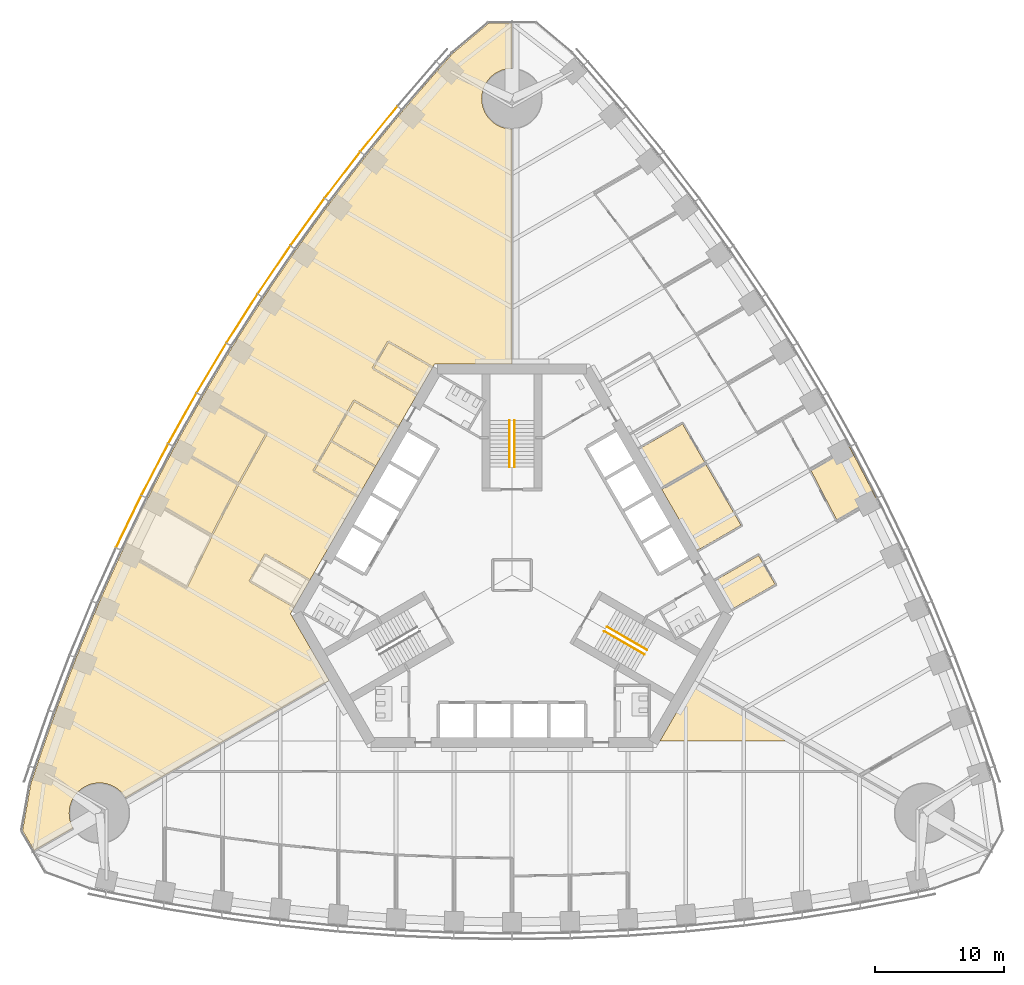
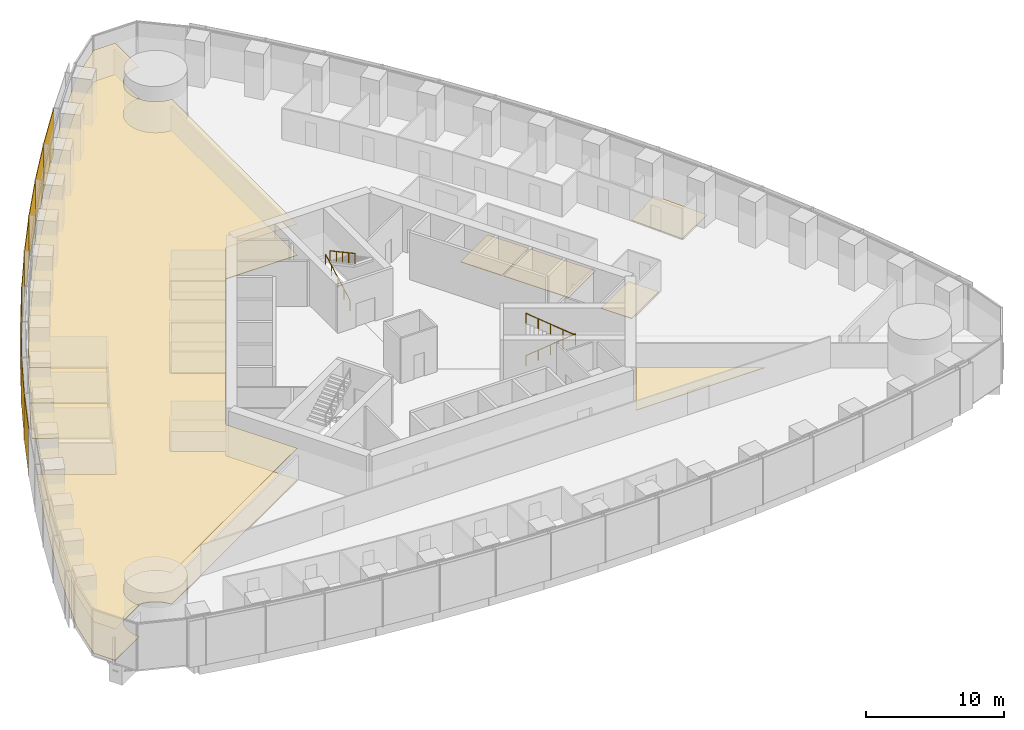
# One storey, part 15 of 18: 12 coverings, 9 shading devices, 4 railings.
"""IFC4 building model written with IfcOpenShell, lengths in metres."""

from ifc_helpers import new_model, si_unit, direction, frame, origin, origin_2d, place, context, subcontext, project, spatial, polyline, rectangle, circle, outline, extrude, material, layer, layer_set, type_object, element, save


model = new_model("IFC4")

# Units and contexts
model_context = context("Model", 3, precision=1e-05, world=origin(), true_north=direction((0.0, 1.0)))
body_context = subcontext(model_context, "Body", "Model", "MODEL_VIEW")
ifc_project = project(units=[si_unit("LENGTHUNIT", "METRE"), si_unit("AREAUNIT", "SQUARE_METRE"), si_unit("VOLUMEUNIT", "CUBIC_METRE"), si_unit("PLANEANGLEUNIT", "RADIAN"), si_unit("MASSUNIT", "GRAM", prefix="KILO")], contexts=[model_context])

# Site, building, storey
site_placement = place(None, origin())
site = spatial("IfcSite", under=ifc_project, at=site_placement, CompositionType="ELEMENT")
building_placement = place(site_placement, origin())
building = spatial("IfcBuilding", under=site, at=building_placement, Name="Trefoil Bronze Tower", CompositionType="ELEMENT")
storey_placement = place(building_placement, frame((0.0, 0.0, 33.300048828125)))
storey = spatial("IfcBuildingStorey", under=building, at=storey_placement, Name="L07", CompositionType="ELEMENT", Elevation=33.300048828125)

# Shading devices
ifc_material_1 = material(Name="Perforated bronze sheet", Category="bronze")
ifc_layer_1 = layer(ifc_material_1, 0.0400390625)
ifc_layer_set_1 = layer_set([ifc_layer_1], Name="Bronze solar screen panel")
shading_device_type = type_object("IfcShadingDeviceType", Name="Bronze solar screen panel", PredefinedType="SHUTTER", material=ifc_layer_set_1)
shading_device_1_placement = place(storey_placement, frame((-10.338623046875, 34.6474609375, 0.0498046875), z_axis=(0.0, 0.0, 1.0), x_axis=(-0.631810729457, -0.775122701346, 0.0)))
element("IfcShadingDevice", 1, at=shading_device_1_placement, inside=storey, type_object=shading_device_type, Name="Solar screen CW-A L07 F3 bay 3", PredefinedType="SHUTTER", context=body_context, shape_type="SweptSolid", body=[
    extrude(rectangle(XDim=4.5283203125, YDim=0.0400390625, at=origin_2d()), origin(), (0.0, 0.0, 1.0), 4.10009765625),
])
shading_device_2_placement = place(storey_placement, frame((-13.170166015625, 31.06787109375, 0.0498046875), z_axis=(0.0, 0.0, 1.0), x_axis=(-0.608807670879, -0.793317855515, 0.0)))
element("IfcShadingDevice", 2, at=shading_device_2_placement, inside=storey, type_object=shading_device_type, Name="Solar screen CW-A L07 F3 bay 4", PredefinedType="SHUTTER", context=body_context, shape_type="SweptSolid", body=[
    extrude(rectangle(XDim=4.5087890625, YDim=0.0400390625, at=origin_2d()), origin(), (0.0, 0.0, 1.0), 4.10009765625),
])
shading_device_3_placement = place(storey_placement, frame((-15.88525390625, 27.421142578125, 0.0498046875), z_axis=(0.0, 0.0, 1.0), x_axis=(-0.585372522213, -0.810764460394, 0.0)))
element("IfcShadingDevice", 3, at=shading_device_3_placement, inside=storey, type_object=shading_device_type, Name="Solar screen CW-A L07 F3 bay 5", PredefinedType="SHUTTER", context=body_context, shape_type="SweptSolid", body=[
    extrude(rectangle(XDim=4.493408203125, YDim=0.0400390625, at=origin_2d()), origin(), (0.0, 0.0, 1.0), 4.10009765625),
])
shading_device_4_placement = place(storey_placement, frame((-18.48486328125, 23.707763671875, 0.0498046875), z_axis=(0.0, 0.0, 1.0), x_axis=(-0.56150968077, -0.827470167681, 0.0)))
element("IfcShadingDevice", 4, at=shading_device_4_placement, inside=storey, type_object=shading_device_type, Name="Solar screen CW-A L07 F3 bay 6", PredefinedType="SHUTTER", context=body_context, shape_type="SweptSolid", body=[
    extrude(rectangle(XDim=4.48193359375, YDim=0.0400390625, at=origin_2d()), origin(), (0.0, 0.0, 1.0), 4.10009765625),
])
shading_device_5_placement = place(storey_placement, frame((-20.97021484375, 19.928466796875, 0.0498046875), z_axis=(0.0, 0.0, 1.0), x_axis=(-0.537222392469, -0.843440632783, 0.0)))
element("IfcShadingDevice", 5, at=shading_device_5_placement, inside=storey, type_object=shading_device_type, Name="Solar screen CW-A L07 F3 bay 7", PredefinedType="SHUTTER", context=body_context, shape_type="SweptSolid", body=[
    extrude(rectangle(XDim=4.474365234375, YDim=0.0400390625, at=origin_2d()), origin(), (0.0, 0.0, 1.0), 4.10009765625),
])
for number, where, z_axis, x_axis, name in (
    (6, (-23.341552734375, 16.083251953125, 0.0498046875), (0.0, 0.0, 1.0), (-0.51251279404, -0.858679588639, 0.0), "Solar screen CW-A L07 F3 bay 8"),
    (7, (-25.599365234375, 12.172607421875, 0.0498046875), (0.0, 0.0, 1.0), (-0.487381940453, -0.873188893722, 0.0), "Solar screen CW-A L07 F3 bay 9"),
):
    element("IfcShadingDevice", number, at=place(storey_placement, frame(where, z_axis=z_axis, x_axis=x_axis)), inside=storey, type_object=shading_device_type, Name=name, PredefinedType="SHUTTER", context=body_context, shape_type="SweptSolid", body=[
        extrude(rectangle(XDim=4.470458984375, YDim=0.0400390625, at=origin_2d()), origin(), (0.0, 0.0, 1.0), 4.10009765625),
    ])
shading_device_6_placement = place(storey_placement, frame((-27.74365234375, 8.1962890625, 0.0498046875), z_axis=(0.0, 0.0, 1.0), x_axis=(-0.46182981834, -0.886968555752, 0.0)))
element("IfcShadingDevice", 8, at=shading_device_6_placement, inside=storey, type_object=shading_device_type, Name="Solar screen CW-A L07 F3 bay 10", PredefinedType="SHUTTER", context=body_context, shape_type="SweptSolid", body=[
    extrude(rectangle(XDim=4.474365234375, YDim=0.0400390625, at=origin_2d()), origin(), (0.0, 0.0, 1.0), 4.10009765625),
])
shading_device_7_placement = place(storey_placement, frame((-29.77392578125, 4.154541015625, 0.0498046875), z_axis=(0.0, 0.0, 1.0), x_axis=(-0.4358553457, -0.900016731858, 0.0)))
element("IfcShadingDevice", 9, at=shading_device_7_placement, inside=storey, type_object=shading_device_type, Name="Solar screen CW-A L07 F3 bay 11", PredefinedType="SHUTTER", context=body_context, shape_type="SweptSolid", body=[
    extrude(rectangle(XDim=4.48193359375, YDim=0.0400390625, at=origin_2d()), origin(), (0.0, 0.0, 1.0), 4.10009765625),
])

# Railings
ifc_material_2 = material(Name="Steel handrail", Category="steel")
railing_type = type_object("IfcRailingType", Name="Handrail 900", PredefinedType="HANDRAIL", material=ifc_material_2)
railing_1_placement = place(storey_placement, frame((7.365966796875, -4.021728515625, 0.161376953125)))
element("IfcRailing", 10, at=railing_1_placement, inside=storey, type_object=railing_type, Name="Handrail ST1 flight 1 L07", PredefinedType="HANDRAIL", context=body_context, shape_type="SweptSolid", body=[
    extrude(circle(Radius=0.02392578125, at=origin_2d()), frame((0.0, 0.0, 0.8759765625), z_axis=(0.76250339821, -0.440245697338, 0.474101564745), x_axis=(0.500012057535, 0.866018442252, 0.0)), (0.0, 0.0, 1.0), 4.088623046875),
    extrude(circle(Radius=0.02099609375, at=origin_2d()), origin(), (0.0, 0.0, 1.0), 0.851806640625),
    extrude(circle(Radius=0.02099609375, at=origin_2d()), frame((0.779296875, -0.449951171875, 0.484619140625)), (0.0, 0.0, 1.0), 0.851806640625),
    extrude(circle(Radius=0.02099609375, at=origin_2d()), frame((1.558837890625, -0.89990234375, 0.96923828125)), (0.0, 0.0, 1.0), 0.851806640625),
    extrude(circle(Radius=0.02099609375, at=origin_2d()), frame((2.33837890625, -1.35009765625, 1.453857421875)), (0.0, 0.0, 1.0), 0.851806640625),
    extrude(circle(Radius=0.02099609375, at=origin_2d()), frame((3.11767578125, -1.800048828125, 1.9384765625)), (0.0, 0.0, 1.0), 0.851806640625),
])
railing_2_placement = place(storey_placement, frame((10.28369140625, -6.168212890625, 2.261474609375)))
element("IfcRailing", 11, at=railing_2_placement, inside=storey, type_object=railing_type, Name="Handrail ST1 flight 2 L07", PredefinedType="HANDRAIL", context=body_context, shape_type="SweptSolid", body=[
    extrude(circle(Radius=0.02392578125, at=origin_2d()), frame((0.0, 0.0, 0.8759765625), z_axis=(-0.76250339821, 0.440245697338, 0.474101564745), x_axis=(-0.500012057535, -0.866018442252, 0.0)), (0.0, 0.0, 1.0), 4.088623046875),
    extrude(circle(Radius=0.02099609375, at=origin_2d()), origin(), (0.0, 0.0, 1.0), 0.851806640625),
    extrude(circle(Radius=0.02099609375, at=origin_2d()), frame((-0.779296875, 0.449951171875, 0.484619140625)), (0.0, 0.0, 1.0), 0.851806640625),
    extrude(circle(Radius=0.02099609375, at=origin_2d()), frame((-1.558837890625, 0.89990234375, 0.96923828125)), (0.0, 0.0, 1.0), 0.851806640625),
    extrude(circle(Radius=0.02099609375, at=origin_2d()), frame((-2.33837890625, 1.35009765625, 1.453857421875)), (0.0, 0.0, 1.0), 0.851806640625),
    extrude(circle(Radius=0.02099609375, at=origin_2d()), frame((-3.11767578125, 1.800048828125, 1.9384765625)), (0.0, 0.0, 1.0), 0.851806640625),
])
railing_3_placement = place(storey_placement, frame((-0.199951171875, 8.389892578125, 0.161376953125)))
element("IfcRailing", 12, at=railing_3_placement, inside=storey, type_object=railing_type, Name="Handrail ST2 flight 1 L07", PredefinedType="HANDRAIL", context=body_context, shape_type="SweptSolid", body=[
    extrude(circle(Radius=0.02392578125, at=origin_2d()), frame((0.0, 0.0, 0.8759765625), z_axis=(0.0, 0.880474934443, 0.474092701714), x_axis=(-1.0, 0.0, 0.0)), (0.0, 0.0, 1.0), 4.0888671875),
    extrude(circle(Radius=0.02099609375, at=origin_2d()), origin(), (0.0, 0.0, 1.0), 0.851806640625),
    extrude(circle(Radius=0.02099609375, at=origin_2d()), frame((0.0, 0.89990234375, 0.484619140625)), (0.0, 0.0, 1.0), 0.851806640625),
    extrude(circle(Radius=0.02099609375, at=origin_2d()), frame((0.0, 1.800048828125, 0.96923828125)), (0.0, 0.0, 1.0), 0.851806640625),
    extrude(circle(Radius=0.02099609375, at=origin_2d()), frame((0.0, 2.7001953125, 1.453857421875)), (0.0, 0.0, 1.0), 0.851806640625),
    extrude(circle(Radius=0.02099609375, at=origin_2d()), frame((0.0, 3.60009765625, 1.9384765625)), (0.0, 0.0, 1.0), 0.851806640625),
])
railing_4_placement = place(storey_placement, frame((0.199951171875, 11.989990234375, 2.261474609375)))
element("IfcRailing", 13, at=railing_4_placement, inside=storey, type_object=railing_type, Name="Handrail ST2 flight 2 L07", PredefinedType="HANDRAIL", context=body_context, shape_type="SweptSolid", body=[
    extrude(circle(Radius=0.02392578125, at=origin_2d()), frame((0.0, 0.0, 0.8759765625), z_axis=(0.0, -0.880474934443, 0.474092701714), x_axis=(1.0, 0.0, 0.0)), (0.0, 0.0, 1.0), 4.0888671875),
    extrude(circle(Radius=0.02099609375, at=origin_2d()), origin(), (0.0, 0.0, 1.0), 0.851806640625),
    extrude(circle(Radius=0.02099609375, at=origin_2d()), frame((0.0, -0.89990234375, 0.484619140625)), (0.0, 0.0, 1.0), 0.851806640625),
    extrude(circle(Radius=0.02099609375, at=origin_2d()), frame((0.0, -1.800048828125, 0.96923828125)), (0.0, 0.0, 1.0), 0.851806640625),
    extrude(circle(Radius=0.02099609375, at=origin_2d()), frame((0.0, -2.7001953125, 1.453857421875)), (0.0, 0.0, 1.0), 0.851806640625),
    extrude(circle(Radius=0.02099609375, at=origin_2d()), frame((0.0, -3.60009765625, 1.9384765625)), (0.0, 0.0, 1.0), 0.851806640625),
])

# Coverings
ifc_material_3 = material(Name="Acoustic ceiling panels", Category="mineral fibre")
ifc_layer_2 = layer(ifc_material_3, 0.02001953125)
ifc_layer_set_2 = layer_set([ifc_layer_2], Name="Office ceiling 20")
covering_type_1 = type_object("IfcCoveringType", Name="Office ceiling 20", PredefinedType="CEILING", material=ifc_layer_set_2)
covering_1_placement = place(storey_placement, frame((0.0, 0.0, 2.89990234375)))
element("IfcCovering", 14, at=covering_1_placement, inside=storey, type_object=covering_type_1, Name="Ceiling L07 Open-plan office F3", PredefinedType="CEILING", context=body_context, shape_type="SweptSolid", body=[
    extrude(outline(polyline([(-36.9814453125, -15.021728515625), (-35.47998046875, -10.6923828125), (-33.860107421875, -6.431640625), (-32.123291015625, -2.23828125), (-30.271240234375, 1.888671875), (-28.3046875, 5.949462890625), (-26.224609375, 9.944580078125), (-24.031005859375, 13.87451171875), (-21.724609375, 17.73876953125), (-19.3046875, 21.537841796875), (-16.771240234375, 25.271484375), (-14.123291015625, 28.938720703125), (-11.360107421875, 32.53955078125), (-8.47998046875, 36.072998046875), (-5.4814453125, 39.537841796875), (-4.618896484375, 40.497314453125), (-1.82421875, 42.84228515625), (-0.01611328125, 42.84228515625), (-0.014892578125, 39.349609375), (-0.115234375, 39.34716796875), (-0.230224609375, 39.338623046875), (-0.3447265625, 39.32470703125), (-0.45849609375, 39.3046875), (-0.571044921875, 39.279541015625), (-0.68212890625, 39.248779296875), (-0.791748046875, 39.212646484375), (-0.8994140625, 39.171142578125), (-1.0048828125, 39.12451171875), (-1.10791015625, 39.072509765625), (-1.2080078125, 39.015625), (-1.3056640625, 38.9541015625), (-1.39990234375, 38.887451171875), (-1.49072265625, 38.816650390625), (-1.578125, 38.7412109375), (-1.66162109375, 38.66162109375), (-1.7412109375, 38.578125), (-1.816650390625, 38.49072265625), (-1.887451171875, 38.39990234375), (-1.9541015625, 38.3056640625), (-2.015625, 38.2080078125), (-2.072509765625, 38.10791015625), (-2.12451171875, 38.0048828125), (-2.171142578125, 37.8994140625), (-2.212646484375, 37.791748046875), (-2.248779296875, 37.68212890625), (-2.279541015625, 37.571044921875), (-2.3046875, 37.45849609375), (-2.32470703125, 37.3447265625), (-2.338623046875, 37.230224609375), (-2.34716796875, 37.115234375), (-2.35009765625, 37.0), (-2.34716796875, 36.884765625), (-2.338623046875, 36.769775390625), (-2.32470703125, 36.6552734375), (-2.3046875, 36.54150390625), (-2.279541015625, 36.428955078125), (-2.248779296875, 36.31787109375), (-2.212646484375, 36.208251953125), (-2.171142578125, 36.1005859375), (-2.12451171875, 35.9951171875), (-2.072509765625, 35.89208984375), (-2.015625, 35.7919921875), (-1.9541015625, 35.6943359375), (-1.887451171875, 35.60009765625), (-1.816650390625, 35.50927734375), (-1.7412109375, 35.421875), (-1.66162109375, 35.33837890625), (-1.578125, 35.2587890625), (-1.49072265625, 35.183349609375), (-1.39990234375, 35.112548828125), (-1.3056640625, 35.0458984375), (-1.2080078125, 34.984375), (-1.10791015625, 34.927490234375), (-1.0048828125, 34.87548828125), (-0.8994140625, 34.828857421875), (-0.791748046875, 34.787353515625), (-0.68212890625, 34.751220703125), (-0.571044921875, 34.720458984375), (-0.45849609375, 34.6953125), (-0.3447265625, 34.67529296875), (-0.230224609375, 34.661376953125), (-0.115234375, 34.65283203125), (-0.012939453125, 34.650390625), (-0.006103515625, 16.39990234375), (-6.00439453125, 16.39990234375), (-17.205078125, -3.0), (-14.205810546875, -8.194580078125), (-30.0146484375, -17.31396484375), (-30.02734375, -17.2919921875), (-30.089111328125, -17.1943359375), (-30.155517578125, -17.10009765625), (-30.226318359375, -17.00927734375), (-30.3017578125, -16.921875), (-30.381103515625, -16.83837890625), (-30.46484375, -16.7587890625), (-30.552001953125, -16.683349609375), (-30.64306640625, -16.612548828125), (-30.7373046875, -16.5458984375), (-30.834716796875, -16.484375), (-30.935302734375, -16.427490234375), (-31.0380859375, -16.37548828125), (-31.1435546875, -16.328857421875), (-31.251220703125, -16.287353515625), (-31.36083984375, -16.251220703125), (-31.471923828125, -16.220458984375), (-31.58447265625, -16.1953125), (-31.697998046875, -16.17529296875), (-31.8125, -16.161376953125), (-31.927490234375, -16.15283203125), (-32.04296875, -16.14990234375), (-32.158203125, -16.15283203125), (-32.273193359375, -16.161376953125), (-32.3876953125, -16.17529296875), (-32.50146484375, -16.1953125), (-32.614013671875, -16.220458984375), (-32.72509765625, -16.251220703125), (-32.834716796875, -16.287353515625), (-32.942138671875, -16.328857421875), (-33.047607421875, -16.37548828125), (-33.150634765625, -16.427490234375), (-33.251220703125, -16.484375), (-33.348388671875, -16.5458984375), (-33.44287109375, -16.612548828125), (-33.53369140625, -16.683349609375), (-33.62109375, -16.7587890625), (-33.70458984375, -16.83837890625), (-33.7841796875, -16.921875), (-33.859619140625, -17.00927734375), (-33.930419921875, -17.10009765625), (-33.996826171875, -17.1943359375), (-34.05859375, -17.2919921875), (-34.115478515625, -17.39208984375), (-34.167236328125, -17.4951171875), (-34.214111328125, -17.6005859375), (-34.255615234375, -17.708251953125), (-34.291748046875, -17.81787109375), (-34.322509765625, -17.928955078125), (-34.347900390625, -18.04150390625), (-34.367431640625, -18.1552734375), (-34.381591796875, -18.269775390625), (-34.39013671875, -18.384765625), (-34.392822265625, -18.5), (-34.39013671875, -18.615234375), (-34.381591796875, -18.730224609375), (-34.367431640625, -18.8447265625), (-34.347900390625, -18.95849609375), (-34.322509765625, -19.071044921875), (-34.291748046875, -19.18212890625), (-34.255615234375, -19.291748046875), (-34.214111328125, -19.3994140625), (-34.167236328125, -19.5048828125), (-34.115478515625, -19.60791015625), (-34.084716796875, -19.661865234375), (-37.110595703125, -21.4072265625), (-38.0146484375, -19.841552734375), (-37.381103515625, -16.248779296875), (-36.9814453125, -15.021728515625)])), origin(), (0.0, 0.0, 1.0), 0.02001953125),
])
ifc_material_4 = material(Name="Raised access floor panels", Category="steel")
ifc_layer_3 = layer(ifc_material_4, 0.050048828125)
ifc_layer_set_3 = layer_set([ifc_layer_3], Name="Raised access floor 150")
covering_type_2 = type_object("IfcCoveringType", Name="Raised access floor 150", PredefinedType="FLOORING", material=ifc_layer_set_3)
covering_2_placement = place(storey_placement, frame((0.0, 0.0, 0.099853515625)))
element("IfcCovering", 15, at=covering_2_placement, inside=storey, type_object=covering_type_2, Name="Raised floor L07 Open-plan office F1", PredefinedType="FLOORING", context=body_context, shape_type="SweptSolid", body=[
    extrude(outline(polyline([(14.19970703125, -8.205322265625), (22.32421875, -12.89990234375), (11.4892578125, -12.89990234375), (14.19970703125, -8.205322265625)])), origin(), (0.0, 0.0, 1.0), 0.050048828125),
])
covering_3_placement = place(storey_placement, frame((0.0, 0.0, 0.099853515625)))
element("IfcCovering", 16, at=covering_3_placement, inside=storey, type_object=covering_type_2, Name="Raised floor L07 Meeting room F2", PredefinedType="FLOORING", context=body_context, shape_type="SweptSolid", body=[
    extrude(outline(polyline([(11.634765625, 6.64794921875), (15.046875, 8.617919921875), (17.786865234375, 3.872314453125), (14.374755859375, 1.902099609375), (11.634765625, 6.64794921875)])), origin(), (0.0, 0.0, 1.0), 0.050048828125),
])
covering_4_placement = place(storey_placement, frame((0.0, 0.0, 0.099853515625)))
element("IfcCovering", 17, at=covering_4_placement, inside=storey, type_object=covering_type_2, Name="Raised floor L07 Meeting room F2", PredefinedType="FLOORING", context=body_context, shape_type="SweptSolid", body=[
    extrude(outline(polyline([(9.834716796875, 9.765625), (13.246826171875, 11.735595703125), (14.98681640625, 8.721923828125), (11.57470703125, 6.751953125), (9.834716796875, 9.765625)])), origin(), (0.0, 0.0, 1.0), 0.050048828125),
])
covering_5_placement = place(storey_placement, frame((0.0, 0.0, 0.099853515625)))
element("IfcCovering", 18, at=covering_5_placement, inside=storey, type_object=covering_type_2, Name="Raised floor L07 Pantry F2", PredefinedType="FLOORING", context=body_context, shape_type="SweptSolid", body=[
    extrude(outline(polyline([(15.734619140625, -0.453369140625), (19.14697265625, 1.5166015625), (20.43701171875, -0.7177734375), (17.024658203125, -2.687744140625), (15.734619140625, -0.453369140625)])), origin(), (0.0, 0.0, 1.0), 0.050048828125),
])
covering_6_placement = place(storey_placement, frame((0.0, 0.0, 0.099853515625)))
element("IfcCovering", 19, at=covering_6_placement, inside=storey, type_object=covering_type_2, Name="Raised floor L07 Comms room F2", PredefinedType="FLOORING", context=body_context, shape_type="SweptSolid", body=[
    extrude(outline(polyline([(26.224609375, 9.944580078125), (28.3046875, 5.949462890625), (26.93408203125, 5.158203125), (26.904052734375, 5.210205078125), (25.24169921875, 4.250244140625), (23.216796875, 8.138916015625), (24.885498046875, 9.102294921875), (24.855712890625, 9.154296875), (26.224609375, 9.944580078125)])), origin(), (0.0, 0.0, 1.0), 0.050048828125),
])
covering_7_placement = place(storey_placement, frame((0.0, 0.0, 0.099853515625)))
element("IfcCovering", 20, at=covering_7_placement, inside=storey, type_object=covering_type_2, Name="Raised floor L07 Meeting room F3", PredefinedType="FLOORING", context=body_context, shape_type="SweptSolid", body=[
    extrude(outline(polyline([(-10.57470703125, 8.48388671875), (-13.98681640625, 10.4541015625), (-12.246826171875, 13.4677734375), (-8.834716796875, 11.497802734375), (-10.57470703125, 8.48388671875)])), origin(), (0.0, 0.0, 1.0), 0.050048828125),
])
covering_8_placement = place(storey_placement, frame((0.0, 0.0, 0.099853515625)))
element("IfcCovering", 21, at=covering_8_placement, inside=storey, type_object=covering_type_2, Name="Raised floor L07 Pantry F3", PredefinedType="FLOORING", context=body_context, shape_type="SweptSolid", body=[
    extrude(outline(polyline([(-11.9248046875, 6.145751953125), (-15.3369140625, 8.11572265625), (-14.046875, 10.35009765625), (-10.634765625, 8.380126953125), (-11.9248046875, 6.145751953125)])), origin(), (0.0, 0.0, 1.0), 0.050048828125),
])
covering_9_placement = place(storey_placement, frame((0.0, 0.0, 0.099853515625)))
element("IfcCovering", 22, at=covering_9_placement, inside=storey, type_object=covering_type_2, Name="Raised floor L07 Store F3", PredefinedType="FLOORING", context=body_context, shape_type="SweptSolid", body=[
    extrude(outline(polyline([(-7.32470703125, 14.11328125), (-10.73681640625, 16.083251953125), (-9.596923828125, 18.0576171875), (-6.184814453125, 16.087646484375), (-7.32470703125, 14.11328125)])), origin(), (0.0, 0.0, 1.0), 0.050048828125),
])
covering_10_placement = place(storey_placement, frame((0.0, 0.0, 0.099853515625)))
element("IfcCovering", 23, at=covering_10_placement, inside=storey, type_object=covering_type_2, Name="Raised floor L07 Office F3", PredefinedType="FLOORING", context=body_context, shape_type="SweptSolid", body=[
    extrude(outline(polyline([(-26.224609375, 9.944580078125), (-24.031005859375, 13.87451171875), (-22.662841796875, 13.08447265625), (-22.69287109375, 13.032470703125), (-19.1328125, 10.97705078125), (-21.267578125, 7.152099609375), (-24.82568359375, 9.206298828125), (-24.855712890625, 9.154296875), (-26.224609375, 9.944580078125)])), origin(), (0.0, 0.0, 1.0), 0.050048828125),
])
covering_11_placement = place(storey_placement, frame((0.0, 0.0, 0.099853515625)))
element("IfcCovering", 24, at=covering_11_placement, inside=storey, type_object=covering_type_2, Name="Raised floor L07 Office F3", PredefinedType="FLOORING", context=body_context, shape_type="SweptSolid", body=[
    extrude(outline(polyline([(-28.3046875, 5.949462890625), (-26.224609375, 9.944580078125), (-24.855712890625, 9.154296875), (-24.885498046875, 9.102294921875), (-21.32470703125, 7.04638671875), (-23.349365234375, 3.15771484375), (-26.904052734375, 5.210205078125), (-26.93408203125, 5.158203125), (-28.3046875, 5.949462890625)])), origin(), (0.0, 0.0, 1.0), 0.050048828125),
])
covering_12_placement = place(storey_placement, frame((0.0, 0.0, 0.099853515625)))
element("IfcCovering", 25, at=covering_12_placement, inside=storey, type_object=covering_type_2, Name="Raised floor L07 Open-plan office F3", PredefinedType="FLOORING", context=body_context, shape_type="SweptSolid", body=[
    extrude(outline(polyline([(-32.123291015625, -2.23828125), (-30.271240234375, 1.888671875), (-28.897705078125, 1.095703125), (-28.927734375, 1.043701171875), (-25.321533203125, -1.038330078125), (-25.29150390625, -0.986328125), (-25.237548828125, -1.012451171875), (-23.271484375, 3.047607421875), (-21.192138671875, 7.041015625), (-18.9990234375, 10.97021484375), (-19.051513671875, 10.99951171875), (-19.021484375, 11.05126953125), (-22.6328125, 13.13623046875), (-22.662841796875, 13.08447265625), (-24.031005859375, 13.87451171875), (-21.724609375, 17.73876953125), (-19.3046875, 21.537841796875), (-16.771240234375, 25.271484375), (-14.123291015625, 28.938720703125), (-11.360107421875, 32.53955078125), (-8.47998046875, 36.072998046875), (-5.4814453125, 39.537841796875), (-4.618896484375, 40.497314453125), (-1.82421875, 42.84228515625), (-0.01611328125, 42.84228515625), (-0.014892578125, 39.349609375), (-0.115234375, 39.34716796875), (-0.230224609375, 39.338623046875), (-0.3447265625, 39.32470703125), (-0.45849609375, 39.3046875), (-0.571044921875, 39.279541015625), (-0.68212890625, 39.248779296875), (-0.791748046875, 39.212646484375), (-0.8994140625, 39.171142578125), (-1.0048828125, 39.12451171875), (-1.10791015625, 39.072509765625), (-1.2080078125, 39.015625), (-1.3056640625, 38.9541015625), (-1.39990234375, 38.887451171875), (-1.49072265625, 38.816650390625), (-1.578125, 38.7412109375), (-1.66162109375, 38.66162109375), (-1.7412109375, 38.578125), (-1.816650390625, 38.49072265625), (-1.887451171875, 38.39990234375), (-1.9541015625, 38.3056640625), (-2.015625, 38.2080078125), (-2.072509765625, 38.10791015625), (-2.12451171875, 38.0048828125), (-2.171142578125, 37.8994140625), (-2.212646484375, 37.791748046875), (-2.248779296875, 37.68212890625), (-2.279541015625, 37.571044921875), (-2.3046875, 37.45849609375), (-2.32470703125, 37.3447265625), (-2.338623046875, 37.230224609375), (-2.34716796875, 37.115234375), (-2.35009765625, 37.0), (-2.34716796875, 36.884765625), (-2.338623046875, 36.769775390625), (-2.32470703125, 36.6552734375), (-2.3046875, 36.54150390625), (-2.279541015625, 36.428955078125), (-2.248779296875, 36.31787109375), (-2.212646484375, 36.208251953125), (-2.171142578125, 36.1005859375), (-2.12451171875, 35.9951171875), (-2.072509765625, 35.89208984375), (-2.015625, 35.7919921875), (-1.9541015625, 35.6943359375), (-1.887451171875, 35.60009765625), (-1.816650390625, 35.50927734375), (-1.7412109375, 35.421875), (-1.66162109375, 35.33837890625), (-1.578125, 35.2587890625), (-1.49072265625, 35.183349609375), (-1.39990234375, 35.112548828125), (-1.3056640625, 35.0458984375), (-1.2080078125, 34.984375), (-1.10791015625, 34.927490234375), (-1.0048828125, 34.87548828125), (-0.8994140625, 34.828857421875), (-0.791748046875, 34.787353515625), (-0.68212890625, 34.751220703125), (-0.571044921875, 34.720458984375), (-0.45849609375, 34.6953125), (-0.3447265625, 34.67529296875), (-0.230224609375, 34.661376953125), (-0.115234375, 34.65283203125), (-0.012939453125, 34.650390625), (-0.006103515625, 16.39990234375), (-6.00439453125, 16.39990234375), (-6.124755859375, 16.191650390625), (-9.5888671875, 18.191650390625), (-9.618896484375, 18.1396484375), (-9.6708984375, 18.169677734375), (-10.870849609375, 16.09130859375), (-10.81884765625, 16.061279296875), (-10.848876953125, 16.00927734375), (-7.384765625, 14.00927734375), (-8.774658203125, 11.601806640625), (-12.23876953125, 13.601806640625), (-12.268798828125, 13.5498046875), (-12.32080078125, 13.57958984375), (-15.470703125, 8.123779296875), (-15.418701171875, 8.09375), (-15.44873046875, 8.041748046875), (-11.984619140625, 6.041748046875), (-15.6748046875, -0.349365234375), (-19.138916015625, 1.650634765625), (-19.168701171875, 1.5986328125), (-19.220703125, 1.628662109375), (-20.4208984375, -0.449951171875), (-20.368896484375, -0.47998046875), (-20.398681640625, -0.53173828125), (-16.934814453125, -2.53173828125), (-17.205078125, -3.0), (-14.205810546875, -8.194580078125), (-30.0146484375, -17.31396484375), (-30.02734375, -17.2919921875), (-30.089111328125, -17.1943359375), (-30.155517578125, -17.10009765625), (-30.226318359375, -17.00927734375), (-30.3017578125, -16.921875), (-30.381103515625, -16.83837890625), (-30.46484375, -16.7587890625), (-30.552001953125, -16.683349609375), (-30.64306640625, -16.612548828125), (-30.7373046875, -16.5458984375), (-30.834716796875, -16.484375), (-30.935302734375, -16.427490234375), (-31.0380859375, -16.37548828125), (-31.1435546875, -16.328857421875), (-31.251220703125, -16.287353515625), (-31.36083984375, -16.251220703125), (-31.471923828125, -16.220458984375), (-31.58447265625, -16.1953125), (-31.697998046875, -16.17529296875), (-31.8125, -16.161376953125), (-31.927490234375, -16.15283203125), (-32.04296875, -16.14990234375), (-32.158203125, -16.15283203125), (-32.273193359375, -16.161376953125), (-32.3876953125, -16.17529296875), (-32.50146484375, -16.1953125), (-32.614013671875, -16.220458984375), (-32.72509765625, -16.251220703125), (-32.834716796875, -16.287353515625), (-32.942138671875, -16.328857421875), (-33.047607421875, -16.37548828125), (-33.150634765625, -16.427490234375), (-33.251220703125, -16.484375), (-33.348388671875, -16.5458984375), (-33.44287109375, -16.612548828125), (-33.53369140625, -16.683349609375), (-33.62109375, -16.7587890625), (-33.70458984375, -16.83837890625), (-33.7841796875, -16.921875), (-33.859619140625, -17.00927734375), (-33.930419921875, -17.10009765625), (-33.996826171875, -17.1943359375), (-34.05859375, -17.2919921875), (-34.115478515625, -17.39208984375), (-34.167236328125, -17.4951171875), (-34.214111328125, -17.6005859375), (-34.255615234375, -17.708251953125), (-34.291748046875, -17.81787109375), (-34.322509765625, -17.928955078125), (-34.347900390625, -18.04150390625), (-34.367431640625, -18.1552734375), (-34.381591796875, -18.269775390625), (-34.39013671875, -18.384765625), (-34.392822265625, -18.5), (-34.39013671875, -18.615234375), (-34.381591796875, -18.730224609375), (-34.367431640625, -18.8447265625), (-34.347900390625, -18.95849609375), (-34.322509765625, -19.071044921875), (-34.291748046875, -19.18212890625), (-34.255615234375, -19.291748046875), (-34.214111328125, -19.3994140625), (-34.167236328125, -19.5048828125), (-34.115478515625, -19.60791015625), (-34.084716796875, -19.661865234375), (-37.110595703125, -21.4072265625), (-38.0146484375, -19.841552734375), (-37.381103515625, -16.248779296875), (-36.9814453125, -15.021728515625), (-35.47998046875, -10.6923828125), (-33.860107421875, -6.431640625), (-32.123291015625, -2.23828125)])), origin(), (0.0, 0.0, 1.0), 0.050048828125),
])

save(model, "model.ifc")
